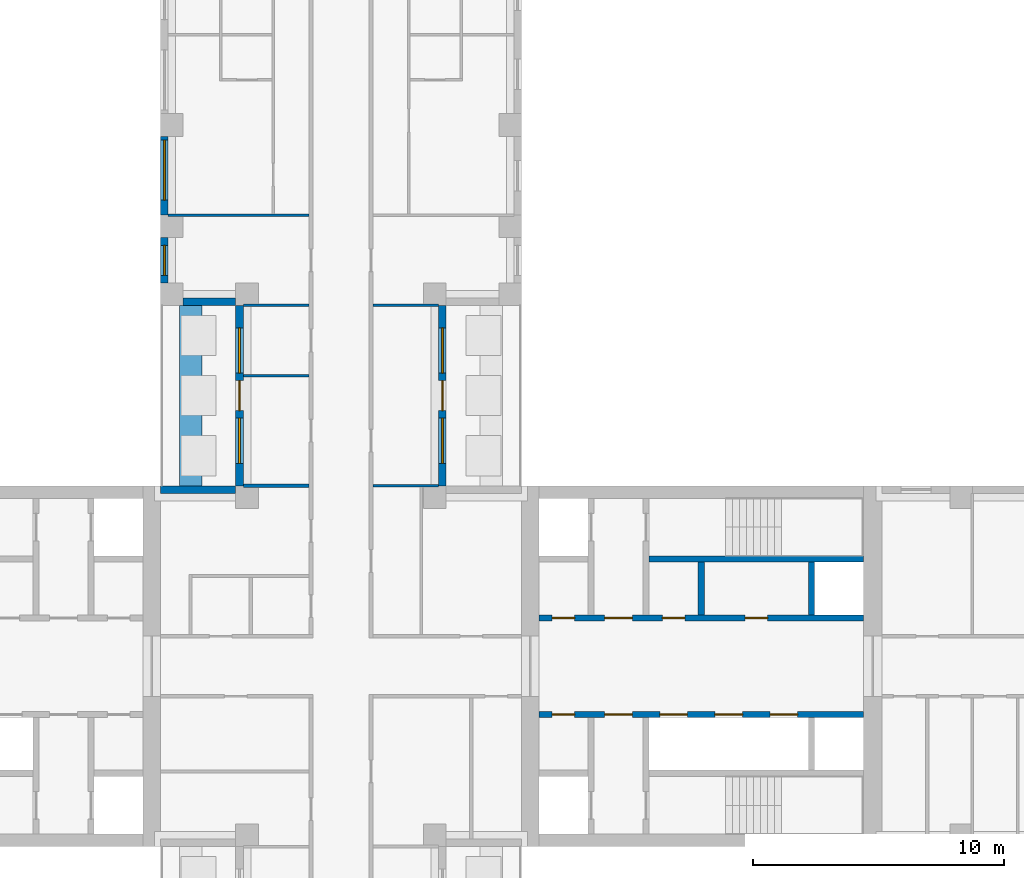
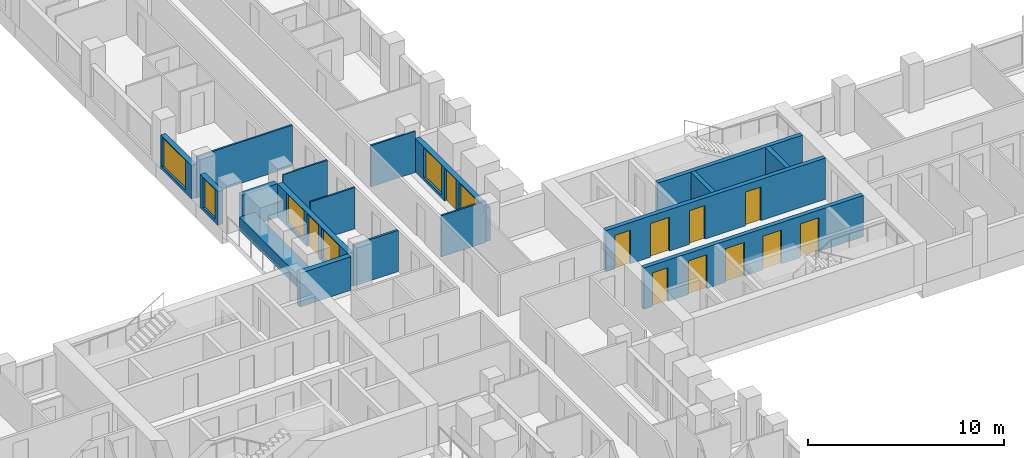
# One storey, part 9 of 16: 18 walls, 11 doors, 6 windows, 17 openings.
"""IFC4 building model written with IfcOpenShell, lengths in metres."""

from ifc_helpers import new_model, si_unit, direction, frame, frame_2d, origin, place, context, subcontext, project, spatial, rectangle, extrude, material, layer, layer_set, type_object, element, fill, save


model = new_model("IFC4")

# Units and contexts
model_context = context("Model", 3, precision=1e-05, world=origin(), true_north=direction((0.0, 1.0)))
body_context = subcontext(model_context, "Body", "Model", "MODEL_VIEW")
ifc_project = project(units=[si_unit("LENGTHUNIT", "METRE"), si_unit("AREAUNIT", "SQUARE_METRE"), si_unit("VOLUMEUNIT", "CUBIC_METRE"), si_unit("PLANEANGLEUNIT", "RADIAN"), si_unit("MASSUNIT", "GRAM", prefix="KILO")], contexts=[model_context])

# Site, building, storey
site_placement = place(None, origin())
site = spatial("IfcSite", under=ifc_project, at=site_placement, CompositionType="ELEMENT")
building_placement = place(site_placement, origin())
building = spatial("IfcBuilding", under=site, at=building_placement, Name="Fustian Cross Tower", CompositionType="ELEMENT")
storey_placement = place(building_placement, frame((0.0, 0.0, 23.699951171875)))
storey = spatial("IfcBuildingStorey", under=building, at=storey_placement, Name="L06", CompositionType="ELEMENT", Elevation=23.699951171875)

# Wall, openings, doors
ifc_material_1 = material(Name="Concrete C50/60", Category="concrete")
ifc_layer_1 = layer(ifc_material_1, 0.25)
ifc_layer_set_1 = layer_set([ifc_layer_1], Name="Concrete C50/60")
wall_type_1 = type_object("IfcWallType", Name="CORE LOBBY WALL 250 C50/60", PredefinedType="SHEAR", material=ifc_layer_set_1)
wall_1_placement = place(storey_placement, frame((7.89990234375, 1.925048828125, 0.0), z_axis=(0.0, 0.0, 1.0), x_axis=(1.0, 0.0, 0.0)))
wall_1 = element("IfcWall", 1, at=wall_1_placement, inside=storey, type_object=wall_type_1, Name="Core lobby wall", PredefinedType="SHEAR", context=body_context, shape_type="SweptSolid", body=[
    extrude(rectangle(XDim=12.9501953125, YDim=0.25, at=frame_2d((6.47509765625, 0.0))), origin(), (0.0, 0.0, 1.0), 2.574951171875),
])
opening_1_placement = place(wall_1_placement, frame((0.52490234375, 0.0, 0.0)))
opening_1 = element("IfcOpeningElement", 2, at=opening_1_placement, cuts=wall_1, Name="Opening CD-05-08", PredefinedType="OPENING", context=body_context, shape_type="SweptSolid", body=[
    extrude(rectangle(XDim=0.89990234375, YDim=2.10009765625, at=frame_2d((0.449951171875, 1.050048828125))), frame((0.0, 0.135009765625, 0.0), z_axis=(0.0, -1.0, 0.0), x_axis=(1.0, 0.0, 0.0)), (0.0, 0.0, 1.0), 0.27001953125),
])
opening_2_placement = place(wall_1_placement, frame((2.625, 0.0, 0.0)))
opening_2 = element("IfcOpeningElement", 3, at=opening_2_placement, cuts=wall_1, Name="Opening CD-05-10", PredefinedType="OPENING", context=body_context, shape_type="SweptSolid", body=[
    extrude(rectangle(XDim=1.10009765625, YDim=2.10009765625, at=frame_2d((0.550048828125, 1.050048828125))), frame((0.0, 0.135009765625, 0.0), z_axis=(0.0, -1.0, 0.0), x_axis=(1.0, 0.0, 0.0)), (0.0, 0.0, 1.0), 0.27001953125),
])
opening_3_placement = place(wall_1_placement, frame((4.925048828125, 0.0, 0.0)))
opening_3 = element("IfcOpeningElement", 4, at=opening_3_placement, cuts=wall_1, Name="Opening CD-05-14", PredefinedType="OPENING", context=body_context, shape_type="SweptSolid", body=[
    extrude(rectangle(XDim=0.89990234375, YDim=2.10009765625, at=frame_2d((0.449951171875, 1.050048828125))), frame((0.0, 0.135009765625, 0.0), z_axis=(0.0, -1.0, 0.0), x_axis=(1.0, 0.0, 0.0)), (0.0, 0.0, 1.0), 0.27001953125),
])
opening_4_placement = place(wall_1_placement, frame((8.22509765625, 0.0, 0.0)))
opening_4 = element("IfcOpeningElement", 5, at=opening_4_placement, cuts=wall_1, Name="Opening CD-05-15", PredefinedType="OPENING", context=body_context, shape_type="SweptSolid", body=[
    extrude(rectangle(XDim=0.89990234375, YDim=2.10009765625, at=frame_2d((0.449951171875, 1.050048828125))), frame((0.0, 0.135009765625, 0.0), z_axis=(0.0, -1.0, 0.0), x_axis=(1.0, 0.0, 0.0)), (0.0, 0.0, 1.0), 0.27001953125),
])
ifc_material_2 = material(Name="Steel", Category="steel")
door_type_1 = type_object("IfcDoorType", Name="FIRE DOOR FD30S 900X2100", OperationType="SINGLE_SWING_LEFT", PredefinedType="DOOR", material=ifc_material_2)
door_1_placement = place(opening_3_placement, origin())
door_1 = element("IfcDoor", 6, at=door_1_placement, inside=storey, type_object=door_type_1, Name="Core door CD-05-14", OperationType="SINGLE_SWING_LEFT", OverallHeight=2.10009765625, OverallWidth=0.89990234375, PredefinedType="DOOR", context=body_context, shape_type="SweptSolid", body=[
    extrude(rectangle(XDim=0.89990234375, YDim=2.10009765625, at=frame_2d((0.449951171875, 1.050048828125))), frame((0.0, 0.02490234375, 0.0), z_axis=(0.0, -1.0, 0.0), x_axis=(1.0, 0.0, 0.0)), (0.0, 0.0, 1.0), 0.050048828125),
])
fill(opening_3, door_1)
door_2_placement = place(opening_4_placement, origin())
door_2 = element("IfcDoor", 7, at=door_2_placement, inside=storey, type_object=door_type_1, Name="Core door CD-05-15", OperationType="SINGLE_SWING_RIGHT", OverallHeight=2.10009765625, OverallWidth=0.89990234375, PredefinedType="DOOR", context=body_context, shape_type="SweptSolid", body=[
    extrude(rectangle(XDim=0.89990234375, YDim=2.10009765625, at=frame_2d((0.449951171875, 1.050048828125))), frame((0.0, 0.02490234375, 0.0), z_axis=(0.0, -1.0, 0.0), x_axis=(1.0, 0.0, 0.0)), (0.0, 0.0, 1.0), 0.050048828125),
])
fill(opening_4, door_2)
ifc_material_3 = material(Name="Steel", Category="steel")
door_type_2 = type_object("IfcDoorType", Name="FIRE DOOR FD60S 1100X2100", OperationType="SINGLE_SWING_LEFT", PredefinedType="DOOR", material=ifc_material_3)
door_3_placement = place(opening_2_placement, frame((1.10009765625, 0.0, 0.0), z_axis=(0.0, 0.0, 1.0), x_axis=(-1.0, 0.0, 0.0)))
door_3 = element("IfcDoor", 8, at=door_3_placement, inside=storey, type_object=door_type_2, Name="Core door CD-05-10", OperationType="SINGLE_SWING_RIGHT", OverallHeight=2.10009765625, OverallWidth=1.10009765625, PredefinedType="DOOR", context=body_context, shape_type="SweptSolid", body=[
    extrude(rectangle(XDim=1.10009765625, YDim=2.10009765625, at=frame_2d((0.550048828125, 1.050048828125))), frame((0.0, 0.02490234375, 0.0), z_axis=(0.0, -1.0, 0.0), x_axis=(1.0, 0.0, 0.0)), (0.0, 0.0, 1.0), 0.050048828125),
])
fill(opening_2, door_3)
ifc_material_4 = material(Name="Steel", Category="steel")
door_type_3 = type_object("IfcDoorType", Name="FIRE DOOR FD60S 900X2100", OperationType="SINGLE_SWING_LEFT", PredefinedType="DOOR", material=ifc_material_4)
door_4_placement = place(opening_1_placement, origin())
door_4 = element("IfcDoor", 9, at=door_4_placement, inside=storey, type_object=door_type_3, Name="Core door CD-05-08", OperationType="SINGLE_SWING_LEFT", OverallHeight=2.10009765625, OverallWidth=0.89990234375, PredefinedType="DOOR", context=body_context, shape_type="SweptSolid", body=[
    extrude(rectangle(XDim=0.89990234375, YDim=2.10009765625, at=frame_2d((0.449951171875, 1.050048828125))), frame((0.0, 0.02490234375, 0.0), z_axis=(0.0, -1.0, 0.0), x_axis=(1.0, 0.0, 0.0)), (0.0, 0.0, 1.0), 0.050048828125),
])
fill(opening_1, door_4)

wall_2_placement = place(storey_placement, frame((7.89990234375, -1.925048828125, 0.0), z_axis=(0.0, 0.0, 1.0), x_axis=(1.0, 0.0, 0.0)))
wall_2 = element("IfcWall", 10, at=wall_2_placement, inside=storey, type_object=wall_type_1, Name="Core lobby wall", PredefinedType="SHEAR", context=body_context, shape_type="SweptSolid", body=[
    extrude(rectangle(XDim=12.9501953125, YDim=0.25, at=frame_2d((6.47509765625, 0.0))), origin(), (0.0, 0.0, 1.0), 2.574951171875),
])
opening_5_placement = place(wall_2_placement, frame((4.824951171875, 0.0, 0.0)))
opening_5 = element("IfcOpeningElement", 11, at=opening_5_placement, cuts=wall_2, Name="Opening LD", PredefinedType="OPENING", context=body_context, shape_type="SweptSolid", body=[
    extrude(rectangle(XDim=1.10009765625, YDim=2.10009765625, at=frame_2d((0.550048828125, 1.050048828125))), frame((0.0, 0.135009765625, 0.0), z_axis=(0.0, -1.0, 0.0), x_axis=(1.0, 0.0, 0.0)), (0.0, 0.0, 1.0), 0.27001953125),
])
opening_6_placement = place(wall_2_placement, frame((7.02490234375, 0.0, 0.0)))
opening_6 = element("IfcOpeningElement", 12, at=opening_6_placement, cuts=wall_2, Name="Opening LD", PredefinedType="OPENING", context=body_context, shape_type="SweptSolid", body=[
    extrude(rectangle(XDim=1.10009765625, YDim=2.10009765625, at=frame_2d((0.550048828125, 1.050048828125))), frame((0.0, 0.135009765625, 0.0), z_axis=(0.0, -1.0, 0.0), x_axis=(1.0, 0.0, 0.0)), (0.0, 0.0, 1.0), 0.27001953125),
])
opening_7_placement = place(wall_2_placement, frame((9.22509765625, 0.0, 0.0)))
opening_7 = element("IfcOpeningElement", 13, at=opening_7_placement, cuts=wall_2, Name="Opening LD", PredefinedType="OPENING", context=body_context, shape_type="SweptSolid", body=[
    extrude(rectangle(XDim=1.10009765625, YDim=2.10009765625, at=frame_2d((0.550048828125, 1.050048828125))), frame((0.0, 0.135009765625, 0.0), z_axis=(0.0, -1.0, 0.0), x_axis=(1.0, 0.0, 0.0)), (0.0, 0.0, 1.0), 0.27001953125),
])
opening_8_placement = place(wall_2_placement, frame((0.52490234375, 0.0, 0.0)))
opening_8 = element("IfcOpeningElement", 14, at=opening_8_placement, cuts=wall_2, Name="Opening CD-05-09", PredefinedType="OPENING", context=body_context, shape_type="SweptSolid", body=[
    extrude(rectangle(XDim=0.89990234375, YDim=2.10009765625, at=frame_2d((0.449951171875, 1.050048828125))), frame((0.0, 0.135009765625, 0.0), z_axis=(0.0, -1.0, 0.0), x_axis=(1.0, 0.0, 0.0)), (0.0, 0.0, 1.0), 0.27001953125),
])
opening_9_placement = place(wall_2_placement, frame((2.625, 0.0, 0.0)))
opening_9 = element("IfcOpeningElement", 15, at=opening_9_placement, cuts=wall_2, Name="Opening CD-05-11", PredefinedType="OPENING", context=body_context, shape_type="SweptSolid", body=[
    extrude(rectangle(XDim=1.10009765625, YDim=2.10009765625, at=frame_2d((0.550048828125, 1.050048828125))), frame((0.0, 0.135009765625, 0.0), z_axis=(0.0, -1.0, 0.0), x_axis=(1.0, 0.0, 0.0)), (0.0, 0.0, 1.0), 0.27001953125),
])
ifc_material_5 = material(Name="Steel", Category="steel")
door_type_4 = type_object("IfcDoorType", Name="FIRE DOOR FD30S 1100X2100", OperationType="SINGLE_SWING_LEFT", PredefinedType="DOOR", material=ifc_material_5)
door_5_placement = place(opening_9_placement, frame((1.10009765625, 0.0, 0.0), z_axis=(0.0, 0.0, 1.0), x_axis=(-1.0, 0.0, 0.0)))
door_5 = element("IfcDoor", 16, at=door_5_placement, inside=storey, type_object=door_type_4, Name="Core door CD-05-11", OperationType="SINGLE_SWING_RIGHT", OverallHeight=2.10009765625, OverallWidth=1.10009765625, PredefinedType="DOOR", context=body_context, shape_type="SweptSolid", body=[
    extrude(rectangle(XDim=1.10009765625, YDim=2.10009765625, at=frame_2d((0.550048828125, 1.050048828125))), frame((0.0, 0.02490234375, 0.0), z_axis=(0.0, -1.0, 0.0), x_axis=(1.0, 0.0, 0.0)), (0.0, 0.0, 1.0), 0.050048828125),
])
fill(opening_9, door_5)
door_6_placement = place(opening_8_placement, frame((0.89990234375, 0.0, 0.0), z_axis=(0.0, 0.0, 1.0), x_axis=(-1.0, 0.0, 0.0)))
door_6 = element("IfcDoor", 17, at=door_6_placement, inside=storey, type_object=door_type_1, Name="Core door CD-05-09", OperationType="SINGLE_SWING_RIGHT", OverallHeight=2.10009765625, OverallWidth=0.89990234375, PredefinedType="DOOR", context=body_context, shape_type="SweptSolid", body=[
    extrude(rectangle(XDim=0.89990234375, YDim=2.10009765625, at=frame_2d((0.449951171875, 1.050048828125))), frame((0.0, 0.02490234375, 0.0), z_axis=(0.0, -1.0, 0.0), x_axis=(1.0, 0.0, 0.0)), (0.0, 0.0, 1.0), 0.050048828125),
])
fill(opening_8, door_6)
ifc_material_6 = material(Name="Stainless steel", Category="steel")
door_type_5 = type_object("IfcDoorType", Name="LIFT LANDING DOOR 1100X2100", OperationType="SLIDING_TO_LEFT", PredefinedType="DOOR", material=ifc_material_6)
door_7_placement = place(opening_5_placement, origin())
door_7 = element("IfcDoor", 18, at=door_7_placement, inside=storey, type_object=door_type_5, Name="Landing door LR1", OperationType="SLIDING_TO_LEFT", OverallHeight=2.10009765625, OverallWidth=1.10009765625, PredefinedType="DOOR", context=body_context, shape_type="SweptSolid", body=[
    extrude(rectangle(XDim=1.10009765625, YDim=2.10009765625, at=frame_2d((0.550048828125, 1.050048828125))), frame((0.0, 0.02490234375, 0.0), z_axis=(0.0, -1.0, 0.0), x_axis=(1.0, 0.0, 0.0)), (0.0, 0.0, 1.0), 0.050048828125),
])
fill(opening_5, door_7)
door_8_placement = place(opening_6_placement, origin())
door_8 = element("IfcDoor", 19, at=door_8_placement, inside=storey, type_object=door_type_5, Name="Landing door LR2", OperationType="SLIDING_TO_LEFT", OverallHeight=2.10009765625, OverallWidth=1.10009765625, PredefinedType="DOOR", context=body_context, shape_type="SweptSolid", body=[
    extrude(rectangle(XDim=1.10009765625, YDim=2.10009765625, at=frame_2d((0.550048828125, 1.050048828125))), frame((0.0, 0.02490234375, 0.0), z_axis=(0.0, -1.0, 0.0), x_axis=(1.0, 0.0, 0.0)), (0.0, 0.0, 1.0), 0.050048828125),
])
fill(opening_6, door_8)
door_9_placement = place(opening_7_placement, origin())
door_9 = element("IfcDoor", 20, at=door_9_placement, inside=storey, type_object=door_type_5, Name="Landing door LR3", OperationType="SLIDING_TO_LEFT", OverallHeight=2.10009765625, OverallWidth=1.10009765625, PredefinedType="DOOR", context=body_context, shape_type="SweptSolid", body=[
    extrude(rectangle(XDim=1.10009765625, YDim=2.10009765625, at=frame_2d((0.550048828125, 1.050048828125))), frame((0.0, 0.02490234375, 0.0), z_axis=(0.0, -1.0, 0.0), x_axis=(1.0, 0.0, 0.0)), (0.0, 0.0, 1.0), 0.050048828125),
])
fill(opening_7, door_9)

# Walls
ifc_material_7 = material(Name="Concrete C50/60", Category="concrete")
ifc_layer_2 = layer(ifc_material_7, 0.25)
ifc_layer_set_2 = layer_set([ifc_layer_2], Name="Concrete C50/60")
wall_type_2 = type_object("IfcWallType", Name="CORE SHAFT WALL 250 C50/60", PredefinedType="SHEAR", material=ifc_layer_set_2)
wall_3_placement = place(storey_placement, frame((12.300048828125, 4.27490234375, 0.0), z_axis=(0.0, 0.0, 1.0), x_axis=(1.0, 0.0, 0.0)))
element("IfcWall", 21, at=wall_3_placement, inside=storey, type_object=wall_type_2, Name="Core shaft wall", PredefinedType="SHEAR", context=body_context, shape_type="SweptSolid", body=[
    extrude(rectangle(XDim=8.550048828125, YDim=0.25, at=frame_2d((4.27490234375, 0.0))), origin(), (0.0, 0.0, 1.0), 2.574951171875),
])
ifc_material_8 = material(Name="Plasterboard on steel stud", Category="steel")
ifc_layer_3 = layer(ifc_material_8, 0.10009765625)
ifc_layer_set_3 = layer_set([ifc_layer_3], Name="Plasterboard on steel stud")
wall_type_3 = type_object("IfcWallType", Name="PARTITION 100 STUD", PredefinedType="PARTITIONING", material=ifc_layer_set_3)
wall_4_placement = place(storey_placement, frame((-6.89990234375, 18.0, 0.0), z_axis=(0.0, 0.0, 1.0), x_axis=(1.0, 0.0, 0.0)))
element("IfcWall", 22, at=wall_4_placement, inside=storey, type_object=wall_type_3, Name="Partition 24", PredefinedType="PARTITIONING", context=body_context, shape_type="SweptSolid", body=[
    extrude(rectangle(XDim=5.625, YDim=0.10009765625, at=frame_2d((2.8125, 0.0))), origin(), (0.0, 0.0, 1.0), 2.574951171875),
])
for number, where, z_axis, x_axis, name in (
    (23, (-3.89990234375, 11.60009765625, 0.0), (0.0, 0.0, 1.0), (1.0, 0.0, 0.0), "Partition 46"),
    (24, (-3.89990234375, 14.39990234375, 0.0), (0.0, 0.0, 1.0), (1.0, 0.0, 0.0), "Partition 47"),
    (25, (1.27490234375, 7.199951171875, 0.0), (0.0, 0.0, 1.0), (1.0, 0.0, 0.0), "Partition 60"),
    (26, (1.27490234375, 14.39990234375, 0.0), (0.0, 0.0, 1.0), (1.0, 0.0, 0.0), "Partition 61"),
):
    element("IfcWall", number, at=place(storey_placement, frame(where, z_axis=z_axis, x_axis=x_axis)), inside=storey, type_object=wall_type_3, Name=name, PredefinedType="PARTITIONING", context=body_context, shape_type="SweptSolid", body=[
        extrude(rectangle(XDim=2.625, YDim=0.10009765625, at=frame_2d((1.3125, 0.0))), origin(), (0.0, 0.0, 1.0), 2.574951171875),
    ])
ifc_material_9 = material(Name="Concrete C40/50", Category="concrete")
ifc_layer_4 = layer(ifc_material_9, 0.89990234375)
ifc_layer_set_4 = layer_set([ifc_layer_4], Name="Concrete C40/50")
wall_type_4 = type_object("IfcWallType", Name="PK1 PLANTER 900", PredefinedType="PARAPET", material=ifc_layer_set_4)
wall_5_placement = place(storey_placement, frame((-6.0, 7.199951171875, 0.0), z_axis=(0.0, 0.0, 1.0), x_axis=(0.0, 1.0, 0.0)))
element("IfcWall", 27, at=wall_5_placement, inside=storey, type_object=wall_type_4, Name="PLANTER", PredefinedType="PARAPET", context=body_context, shape_type="SweptSolid", body=[
    extrude(rectangle(XDim=7.199951171875, YDim=0.89990234375, at=frame_2d((3.60009765625, 0.0))), origin(), (0.0, 0.0, 1.0), 0.800048828125),
])
ifc_material_10 = material(Name="Concrete C40/50", Category="concrete")
ifc_layer_5 = layer(ifc_material_10, 0.25)
ifc_layer_set_5 = layer_set([ifc_layer_5], Name="Concrete C40/50")
wall_type_5 = type_object("IfcWallType", Name="SHAFT PARTITION WALL 250 C40/50", PredefinedType="PARTITIONING", material=ifc_layer_set_5)
for number, where, z_axis, x_axis, name in (
    (28, (14.375, 2.050048828125, 0.0), (0.0, 0.0, 1.0), (0.0, 1.0, 0.0), "Core shaft wall"),
    (29, (18.77490234375, 2.050048828125, 0.0), (0.0, 0.0, 1.0), (0.0, 1.0, 0.0), "Core shaft wall"),
):
    element("IfcWall", number, at=place(storey_placement, frame(where, z_axis=z_axis, x_axis=x_axis)), inside=storey, type_object=wall_type_5, Name=name, PredefinedType="PARTITIONING", context=body_context, shape_type="SweptSolid", body=[
        extrude(rectangle(XDim=2.099853515625, YDim=0.25, at=frame_2d((1.0498046875, 0.0))), origin(), (0.0, 0.0, 1.0), 2.574951171875),
    ])
ifc_material_11 = material(Name="Plasterboard on steel stud", Category="steel")
ifc_layer_6 = layer(ifc_material_11, 0.125)
ifc_layer_set_6 = layer_set([ifc_layer_6], Name="Plasterboard on steel stud")
wall_type_6 = type_object("IfcWallType", Name="WET WALL 125 STUD", PredefinedType="PARTITIONING", material=ifc_layer_set_6)
wall_6_placement = place(storey_placement, frame((-3.89990234375, 7.199951171875, 0.0), z_axis=(0.0, 0.0, 1.0), x_axis=(1.0, 0.0, 0.0)))
element("IfcWall", 30, at=wall_6_placement, inside=storey, type_object=wall_type_6, Name="Partition 45", PredefinedType="PARTITIONING", context=body_context, shape_type="SweptSolid", body=[
    extrude(rectangle(XDim=2.625, YDim=0.125, at=frame_2d((1.3125, 0.0))), origin(), (0.0, 0.0, 1.0), 2.574951171875),
])

# Wall, openings, door, windows
ifc_material_12 = material(Name="Dark aluminium cladding on insulated backing wall", Category="aluminium")
ifc_layer_7 = layer(ifc_material_12, 0.300048828125)
ifc_layer_set_7 = layer_set([ifc_layer_7], Name="Dark aluminium cladding on insulated backing wall")
wall_type_7 = type_object("IfcWallType", Name="XW1 EXTERNAL WALL 300", PredefinedType="SOLIDWALL", material=ifc_layer_set_7)
wall_7_placement = place(storey_placement, frame((4.050048828125, 7.199951171875, 0.0), z_axis=(0.0, 0.0, 1.0), x_axis=(0.0, 1.0, 0.0)))
wall_7 = element("IfcWall", 31, at=wall_7_placement, inside=storey, type_object=wall_type_7, Name="External wall", PredefinedType="SOLIDWALL", context=body_context, shape_type="SweptSolid", body=[
    extrude(rectangle(XDim=7.199951171875, YDim=0.300048828125, at=frame_2d((3.60009765625, 0.0))), origin(), (0.0, 0.0, 1.0), 2.10009765625),
])
opening_10_placement = place(wall_7_placement, frame((3.0, 0.0, 0.0)))
opening_10 = element("IfcOpeningElement", 32, at=opening_10_placement, cuts=wall_7, Name="Opening XD1", PredefinedType="OPENING", context=body_context, shape_type="SweptSolid", body=[
    extrude(rectangle(XDim=1.199951171875, YDim=2.050048828125, at=frame_2d((0.60009765625, 1.02490234375))), frame((0.0, 0.159912109375, 0.0), z_axis=(0.0, -1.0, 0.0), x_axis=(1.0, 0.0, 0.0)), (0.0, 0.0, 1.0), 0.320068359375),
])
opening_11_placement = place(wall_7_placement, frame((0.89990234375, 0.0, 0.199951171875)))
opening_11 = element("IfcOpeningElement", 33, at=opening_11_placement, cuts=wall_7, Name="Opening WN2", PredefinedType="OPENING", context=body_context, shape_type="SweptSolid", body=[
    extrude(rectangle(XDim=1.800048828125, YDim=1.85009765625, at=frame_2d((0.89990234375, 0.925048828125))), frame((0.0, 0.159912109375, 0.0), z_axis=(0.0, -1.0, 0.0), x_axis=(1.0, 0.0, 0.0)), (0.0, 0.0, 1.0), 0.320068359375),
])
opening_12_placement = place(wall_7_placement, frame((4.5, 0.0, 0.199951171875)))
opening_12 = element("IfcOpeningElement", 34, at=opening_12_placement, cuts=wall_7, Name="Opening WN2", PredefinedType="OPENING", context=body_context, shape_type="SweptSolid", body=[
    extrude(rectangle(XDim=1.800048828125, YDim=1.85009765625, at=frame_2d((0.89990234375, 0.925048828125))), frame((0.0, 0.159912109375, 0.0), z_axis=(0.0, -1.0, 0.0), x_axis=(1.0, 0.0, 0.0)), (0.0, 0.0, 1.0), 0.320068359375),
])
ifc_material_13 = material(Name="Dark anodised aluminium and double glazing", Category="aluminium")
door_type_6 = type_object("IfcDoorType", Name="ED1 BALCONY DOOR 1200X2050", OperationType="SINGLE_SWING_LEFT", PredefinedType="DOOR", material=ifc_material_13)
door_10_placement = place(opening_10_placement, origin())
door_10 = element("IfcDoor", 35, at=door_10_placement, inside=storey, type_object=door_type_6, Name="Balcony door", OperationType="SINGLE_SWING_LEFT", OverallHeight=2.050048828125, OverallWidth=1.199951171875, PredefinedType="DOOR", context=body_context, shape_type="SweptSolid", body=[
    extrude(rectangle(XDim=1.199951171875, YDim=2.050048828125, at=frame_2d((0.60009765625, 1.02490234375))), frame((0.0, 0.02490234375, 0.0), z_axis=(0.0, -1.0, 0.0), x_axis=(1.0, 0.0, 0.0)), (0.0, 0.0, 1.0), 0.050048828125),
])
fill(opening_10, door_10)
ifc_material_14 = material(Name="Dark anodised aluminium and double glazing", Category="aluminium")
window_type_1 = type_object("IfcWindowType", Name="WN2 WINDOW 1800X1850", PartitioningType="SINGLE_PANEL", PredefinedType="WINDOW", material=ifc_material_14)
window_1_placement = place(opening_11_placement, origin())
window_1 = element("IfcWindow", 36, at=window_1_placement, inside=storey, type_object=window_type_1, Name="Window", OverallHeight=1.85009765625, OverallWidth=1.800048828125, PartitioningType="SINGLE_PANEL", PredefinedType="WINDOW", context=body_context, shape_type="SweptSolid", body=[
    extrude(rectangle(XDim=1.800048828125, YDim=1.85009765625, at=frame_2d((0.89990234375, 0.925048828125))), frame((0.0, 0.030029296875, 0.0), z_axis=(0.0, -1.0, 0.0), x_axis=(1.0, 0.0, 0.0)), (0.0, 0.0, 1.0), 0.06005859375),
])
fill(opening_11, window_1)
window_2_placement = place(opening_12_placement, origin())
window_2 = element("IfcWindow", 37, at=window_2_placement, inside=storey, type_object=window_type_1, Name="Window", OverallHeight=1.85009765625, OverallWidth=1.800048828125, PartitioningType="SINGLE_PANEL", PredefinedType="WINDOW", context=body_context, shape_type="SweptSolid", body=[
    extrude(rectangle(XDim=1.800048828125, YDim=1.85009765625, at=frame_2d((0.89990234375, 0.925048828125))), frame((0.0, 0.030029296875, 0.0), z_axis=(0.0, -1.0, 0.0), x_axis=(1.0, 0.0, 0.0)), (0.0, 0.0, 1.0), 0.06005859375),
])
fill(opening_12, window_2)

# Wall, opening, window
wall_8_placement = place(storey_placement, frame((-7.050048828125, 21.14990234375, 0.0), z_axis=(0.0, 0.0, 1.0), x_axis=(0.0, -1.0, 0.0)))
wall_8 = element("IfcWall", 38, at=wall_8_placement, inside=storey, type_object=wall_type_7, Name="External wall", PredefinedType="SOLIDWALL", context=body_context, shape_type="SweptSolid", body=[
    extrude(rectangle(XDim=3.14990234375, YDim=0.300048828125, at=frame_2d((1.574951171875, 0.0))), origin(), (0.0, 0.0, 1.0), 2.10009765625),
])
opening_13_placement = place(wall_8_placement, frame((0.14990234375, 0.0, 0.199951171875)))
opening_13 = element("IfcOpeningElement", 39, at=opening_13_placement, cuts=wall_8, Name="Opening WN1", PredefinedType="OPENING", context=body_context, shape_type="SweptSolid", body=[
    extrude(rectangle(XDim=2.39990234375, YDim=1.85009765625, at=frame_2d((1.199951171875, 0.925048828125))), frame((0.0, 0.159912109375, 0.0), z_axis=(0.0, -1.0, 0.0), x_axis=(1.0, 0.0, 0.0)), (0.0, 0.0, 1.0), 0.320068359375),
])
ifc_material_15 = material(Name="Dark anodised aluminium and double glazing", Category="aluminium")
window_type_2 = type_object("IfcWindowType", Name="WN1 WINDOW 2400X1850", PartitioningType="SINGLE_PANEL", PredefinedType="WINDOW", material=ifc_material_15)
window_3_placement = place(opening_13_placement, origin())
window_3 = element("IfcWindow", 40, at=window_3_placement, inside=storey, type_object=window_type_2, Name="Window", OverallHeight=1.85009765625, OverallWidth=2.39990234375, PartitioningType="SINGLE_PANEL", PredefinedType="WINDOW", context=body_context, shape_type="SweptSolid", body=[
    extrude(rectangle(XDim=2.39990234375, YDim=1.85009765625, at=frame_2d((1.199951171875, 0.925048828125))), frame((0.0, 0.030029296875, 0.0), z_axis=(0.0, -1.0, 0.0), x_axis=(1.0, 0.0, 0.0)), (0.0, 0.0, 1.0), 0.06005859375),
])
fill(opening_13, window_3)

wall_9_placement = place(storey_placement, frame((-7.050048828125, 17.10009765625, 0.0), z_axis=(0.0, 0.0, 1.0), x_axis=(0.0, -1.0, 0.0)))
wall_9 = element("IfcWall", 41, at=wall_9_placement, inside=storey, type_object=wall_type_7, Name="External wall", PredefinedType="SOLIDWALL", context=body_context, shape_type="SweptSolid", body=[
    extrude(rectangle(XDim=1.800048828125, YDim=0.300048828125, at=frame_2d((0.89990234375, 0.0))), origin(), (0.0, 0.0, 1.0), 2.10009765625),
])
opening_14_placement = place(wall_9_placement, frame((0.300048828125, 0.0, 0.199951171875)))
opening_14 = element("IfcOpeningElement", 42, at=opening_14_placement, cuts=wall_9, Name="Opening WN3", PredefinedType="OPENING", context=body_context, shape_type="SweptSolid", body=[
    extrude(rectangle(XDim=1.199951171875, YDim=1.85009765625, at=frame_2d((0.60009765625, 0.925048828125))), frame((0.0, 0.159912109375, 0.0), z_axis=(0.0, -1.0, 0.0), x_axis=(1.0, 0.0, 0.0)), (0.0, 0.0, 1.0), 0.320068359375),
])
ifc_material_16 = material(Name="Dark anodised aluminium and double glazing", Category="aluminium")
window_type_3 = type_object("IfcWindowType", Name="WN3 WINDOW 1200X1850", PartitioningType="SINGLE_PANEL", PredefinedType="WINDOW", material=ifc_material_16)
window_4_placement = place(opening_14_placement, origin())
window_4 = element("IfcWindow", 43, at=window_4_placement, inside=storey, type_object=window_type_3, Name="Window", OverallHeight=1.85009765625, OverallWidth=1.199951171875, PartitioningType="SINGLE_PANEL", PredefinedType="WINDOW", context=body_context, shape_type="SweptSolid", body=[
    extrude(rectangle(XDim=1.199951171875, YDim=1.85009765625, at=frame_2d((0.60009765625, 0.925048828125))), frame((0.0, 0.030029296875, 0.0), z_axis=(0.0, -1.0, 0.0), x_axis=(1.0, 0.0, 0.0)), (0.0, 0.0, 1.0), 0.06005859375),
])
fill(opening_14, window_4)

# Wall
wall_10_placement = place(storey_placement, frame((-6.300048828125, 14.550048828125, 0.0), z_axis=(0.0, 0.0, 1.0), x_axis=(1.0, 0.0, 0.0)))
element("IfcWall", 44, at=wall_10_placement, inside=storey, type_object=wall_type_7, Name="External wall", PredefinedType="SOLIDWALL", context=body_context, shape_type="SweptSolid", body=[
    extrude(rectangle(XDim=2.10009765625, YDim=0.300048828125, at=frame_2d((1.050048828125, 0.0))), origin(), (0.0, 0.0, 1.0), 2.10009765625),
])

# Wall, openings, door, windows
wall_11_placement = place(storey_placement, frame((-4.050048828125, 14.39990234375, 0.0), z_axis=(0.0, 0.0, 1.0), x_axis=(0.0, -1.0, 0.0)))
wall_11 = element("IfcWall", 45, at=wall_11_placement, inside=storey, type_object=wall_type_7, Name="External wall", PredefinedType="SOLIDWALL", context=body_context, shape_type="SweptSolid", body=[
    extrude(rectangle(XDim=7.199951171875, YDim=0.300048828125, at=frame_2d((3.60009765625, 0.0))), origin(), (0.0, 0.0, 1.0), 2.10009765625),
])
opening_15_placement = place(wall_11_placement, frame((3.0, 0.0, 0.0)))
opening_15 = element("IfcOpeningElement", 46, at=opening_15_placement, cuts=wall_11, Name="Opening XD2", PredefinedType="OPENING", context=body_context, shape_type="SweptSolid", body=[
    extrude(rectangle(XDim=1.199951171875, YDim=2.050048828125, at=frame_2d((0.60009765625, 1.02490234375))), frame((0.0, 0.159912109375, 0.0), z_axis=(0.0, -1.0, 0.0), x_axis=(1.0, 0.0, 0.0)), (0.0, 0.0, 1.0), 0.320068359375),
])
opening_16_placement = place(wall_11_placement, frame((0.89990234375, 0.0, 0.199951171875)))
opening_16 = element("IfcOpeningElement", 47, at=opening_16_placement, cuts=wall_11, Name="Opening WN2", PredefinedType="OPENING", context=body_context, shape_type="SweptSolid", body=[
    extrude(rectangle(XDim=1.800048828125, YDim=1.85009765625, at=frame_2d((0.89990234375, 0.925048828125))), frame((0.0, 0.159912109375, 0.0), z_axis=(0.0, -1.0, 0.0), x_axis=(1.0, 0.0, 0.0)), (0.0, 0.0, 1.0), 0.320068359375),
])
opening_17_placement = place(wall_11_placement, frame((4.5, 0.0, 0.199951171875)))
opening_17 = element("IfcOpeningElement", 48, at=opening_17_placement, cuts=wall_11, Name="Opening WN2", PredefinedType="OPENING", context=body_context, shape_type="SweptSolid", body=[
    extrude(rectangle(XDim=1.800048828125, YDim=1.85009765625, at=frame_2d((0.89990234375, 0.925048828125))), frame((0.0, 0.159912109375, 0.0), z_axis=(0.0, -1.0, 0.0), x_axis=(1.0, 0.0, 0.0)), (0.0, 0.0, 1.0), 0.320068359375),
])
door_11_placement = place(opening_15_placement, origin())
door_11 = element("IfcDoor", 49, at=door_11_placement, inside=storey, type_object=door_type_6, Name="Balcony door", OperationType="SINGLE_SWING_LEFT", OverallHeight=2.050048828125, OverallWidth=1.199951171875, PredefinedType="DOOR", context=body_context, shape_type="SweptSolid", body=[
    extrude(rectangle(XDim=1.199951171875, YDim=2.050048828125, at=frame_2d((0.60009765625, 1.02490234375))), frame((0.0, 0.02490234375, 0.0), z_axis=(0.0, -1.0, 0.0), x_axis=(1.0, 0.0, 0.0)), (0.0, 0.0, 1.0), 0.050048828125),
])
fill(opening_15, door_11)
window_5_placement = place(opening_16_placement, origin())
window_5 = element("IfcWindow", 50, at=window_5_placement, inside=storey, type_object=window_type_1, Name="Window", OverallHeight=1.85009765625, OverallWidth=1.800048828125, PartitioningType="SINGLE_PANEL", PredefinedType="WINDOW", context=body_context, shape_type="SweptSolid", body=[
    extrude(rectangle(XDim=1.800048828125, YDim=1.85009765625, at=frame_2d((0.89990234375, 0.925048828125))), frame((0.0, 0.030029296875, 0.0), z_axis=(0.0, -1.0, 0.0), x_axis=(1.0, 0.0, 0.0)), (0.0, 0.0, 1.0), 0.06005859375),
])
fill(opening_16, window_5)
window_6_placement = place(opening_17_placement, origin())
window_6 = element("IfcWindow", 51, at=window_6_placement, inside=storey, type_object=window_type_1, Name="Window", OverallHeight=1.85009765625, OverallWidth=1.800048828125, PartitioningType="SINGLE_PANEL", PredefinedType="WINDOW", context=body_context, shape_type="SweptSolid", body=[
    extrude(rectangle(XDim=1.800048828125, YDim=1.85009765625, at=frame_2d((0.89990234375, 0.925048828125))), frame((0.0, 0.030029296875, 0.0), z_axis=(0.0, -1.0, 0.0), x_axis=(1.0, 0.0, 0.0)), (0.0, 0.0, 1.0), 0.06005859375),
])
fill(opening_17, window_6)

# Wall
wall_12_placement = place(storey_placement, frame((-4.199951171875, 7.050048828125, 0.0), z_axis=(0.0, 0.0, 1.0), x_axis=(-1.0, 0.0, 0.0)))
element("IfcWall", 52, at=wall_12_placement, inside=storey, type_object=wall_type_7, Name="External wall", PredefinedType="SOLIDWALL", context=body_context, shape_type="SweptSolid", body=[
    extrude(rectangle(XDim=3.0, YDim=0.300048828125, at=frame_2d((1.5, 0.0))), origin(), (0.0, 0.0, 1.0), 2.10009765625),
])

save(model, "model.ifc")
